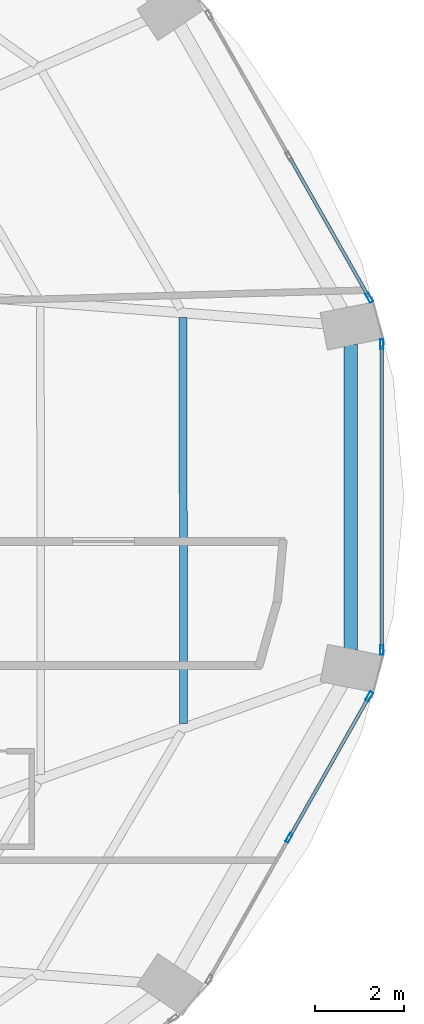
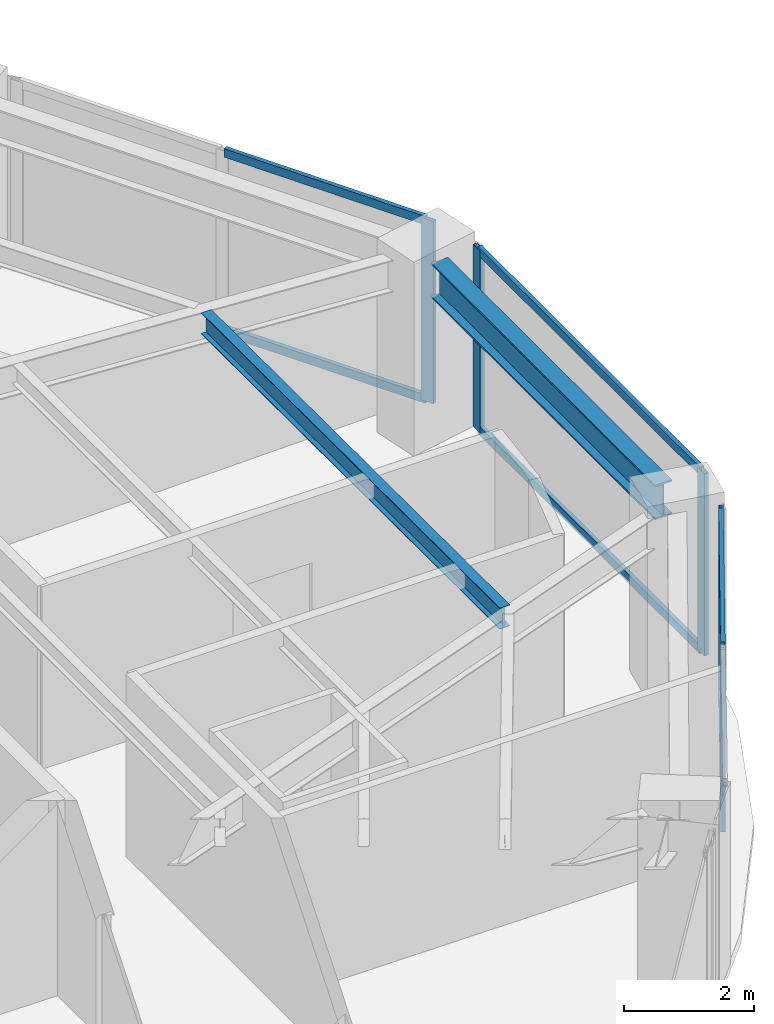
# One storey, part 12 of 25: 11 members, 2 beams, 3 elements without a shape of their own.
"""IFC4 building model written with IfcOpenShell, lengths in metres."""

from ifc_helpers import new_model, si_unit, direction, frame, origin, origin_2d, place, context, subcontext, project, spatial, hollow_rectangle, i_section, extrude, material, layer, layer_set, material_profile, profile_set, type_object, element, aggregate, save


model = new_model("IFC4")

# Units and contexts
model_context = context("Model", 3, precision=1e-05, world=origin(), true_north=direction((0.0, 1.0)))
body_context = subcontext(model_context, "Body", "Model", "MODEL_VIEW")
ifc_project = project(units=[si_unit("LENGTHUNIT", "METRE"), si_unit("AREAUNIT", "SQUARE_METRE"), si_unit("VOLUMEUNIT", "CUBIC_METRE"), si_unit("PLANEANGLEUNIT", "RADIAN"), si_unit("MASSUNIT", "GRAM", prefix="KILO")], contexts=[model_context])

# Site, building, storey
site_placement = place(None, origin())
site = spatial("IfcSite", under=ifc_project, at=site_placement, CompositionType="ELEMENT")
building_placement = place(site_placement, origin())
building = spatial("IfcBuilding", under=site, at=building_placement, Name="Lazwardi Medical Tower", CompositionType="ELEMENT")
storey_placement = place(building_placement, frame((0.0, 0.0, 32.49609375)))
storey = spatial("IfcBuildingStorey", under=building, at=storey_placement, Name="L07", CompositionType="ELEMENT", Elevation=32.49609375)

# Beams
ifc_material_1 = material(Name="Steel S355", Category="steel")
ifc_material_profile_1 = material_profile(ifc_material_1, i_section(OverallWidth=0.300048828125, OverallDepth=0.64990234375, WebThickness=0.01611328125, FlangeThickness=0.031005859375, at=origin_2d()), Name="HEB 650")
ifc_profile_set_1 = profile_set([ifc_material_profile_1], Name="Steel S355")
beam_type_1 = type_object("IfcBeamType", Name="BM-RB-Z1", PredefinedType="BEAM", material=ifc_profile_set_1)
beam_1_placement = place(storey_placement, frame((62.800048828125, 26.952392578125, 3.10302734375), z_axis=(0.0, 1.0, 0.0), x_axis=(-1.0, 0.0, 0.0)))
element("IfcBeam", 1, at=beam_1_placement, inside=storey, type_object=beam_type_1, Name="Ring beam RB-02 B04 L07", PredefinedType="BEAM", context=body_context, shape_type="SweptSolid", body=[
    extrude(i_section(OverallWidth=0.300048828125, OverallDepth=0.64990234375, WebThickness=0.01611328125, FlangeThickness=0.031005859375, at=origin_2d()), origin(), (0.0, 0.0, 1.0), 6.895263671875),
])
ifc_material_profile_2 = material_profile(ifc_material_1, i_section(OverallWidth=0.179931640625, OverallDepth=0.39990234375, WebThickness=0.008544921875, FlangeThickness=0.013427734375, at=origin_2d()), Name="IPE 400")
ifc_profile_set_2 = profile_set([ifc_material_profile_2], Name="Steel S355")
beam_type_2 = type_object("IfcBeamType", Name="BM-SJ-01", PredefinedType="JOIST", material=ifc_profile_set_2)
beam_2_placement = place(storey_placement, frame((59.0234375, 25.291015625, 3.22802734375), z_axis=(-0.002077613181, 0.999997841759, 0.0), x_axis=(-0.999997841759, -0.002077613181, 0.0)))
element("IfcBeam", 2, at=beam_2_placement, inside=storey, type_object=beam_type_2, Name="Secondary joist SJ-01 R1 B04 L07", PredefinedType="JOIST", context=body_context, shape_type="SweptSolid", body=[
    extrude(i_section(OverallWidth=0.179931640625, OverallDepth=0.39990234375, WebThickness=0.008544921875, FlangeThickness=0.013427734375, at=origin_2d()), origin(), (0.0, 0.0, 1.0), 9.165771484375),
])

# Curtain wall, members
ifc_material_2 = material(Name="Anodised bronze aluminium and solar control glazing", Category="aluminium")
ifc_layer = layer(ifc_material_2, 0.199951171875)
ifc_layer_set = layer_set([ifc_layer], Name="Anodised bronze aluminium and solar control glazing")
curtain_wall_type = type_object("IfcCurtainWallType", Name="CW-SYS-02", PredefinedType="NOTDEFINED", material=ifc_layer_set)
curtain_wall_1_placement = place(storey_placement, origin())
curtain_wall_1 = element("IfcCurtainWall", 3, at=curtain_wall_1_placement, inside=storey, type_object=curtain_wall_type, Name="L07 Unitised bronze curtain wall CW-02", PredefinedType="NOTDEFINED")
ifc_material_3 = material(Name="Anodised bronze aluminium", Category="aluminium")
ifc_material_profile_3 = material_profile(ifc_material_3, hollow_rectangle(XDim=0.074951171875, YDim=0.219970703125, WallThickness=0.00390625, at=origin_2d()), Name="ALU-MULLION 220x75x4")
ifc_profile_set_3 = profile_set([ifc_material_profile_3], Name="Anodised bronze aluminium")
member_type_1 = type_object("IfcMemberType", Name="CW-MUL-01", PredefinedType="MULLION", material=ifc_profile_set_3)
member_1_placement = place(storey_placement, frame((61.4052734375, 22.70458984375, 0.0), z_axis=(0.0, 0.0, 1.0), x_axis=(-0.870111838823, 0.492854327303, 0.0)))
member_1 = element("IfcMember", 4, at=member_1_placement, type_object=member_type_1, Name="CW-02 mullion 2", PredefinedType="MULLION", context=body_context, shape_type="SweptSolid", body=[
    extrude(hollow_rectangle(XDim=0.074951171875, YDim=0.219970703125, WallThickness=0.00390625, at=origin_2d()), origin(), (0.0, 0.0, 1.0), 3.427978515625),
])
member_2_placement = place(storey_placement, frame((63.214111328125, 25.897705078125, 0.0), z_axis=(0.0, 0.0, 1.0), x_axis=(-0.870111838823, 0.492854327303, 0.0)))
member_2 = element("IfcMember", 5, at=member_2_placement, type_object=member_type_1, Name="CW-02 mullion 3", PredefinedType="MULLION", context=body_context, shape_type="SweptSolid", body=[
    extrude(hollow_rectangle(XDim=0.074951171875, YDim=0.219970703125, WallThickness=0.00390625, at=origin_2d()), origin(), (0.0, 0.0, 1.0), 3.427978515625),
])

curtain_wall_2_placement = place(storey_placement, origin())
curtain_wall_2 = element("IfcCurtainWall", 6, at=curtain_wall_2_placement, inside=storey, type_object=curtain_wall_type, Name="L07 Unitised bronze curtain wall CW-02", PredefinedType="NOTDEFINED")
member_3_placement = place(storey_placement, frame((63.49853515625, 26.946044921875, 0.0), z_axis=(0.0, 0.0, 1.0), x_axis=(-1.0, 0.0, 0.0)))
member_3 = element("IfcMember", 7, at=member_3_placement, type_object=member_type_1, Name="CW-02 mullion 1", PredefinedType="MULLION", context=body_context, shape_type="SweptSolid", body=[
    extrude(hollow_rectangle(XDim=0.074951171875, YDim=0.219970703125, WallThickness=0.00390625, at=origin_2d()), origin(), (0.0, 0.0, 1.0), 3.427978515625),
])
member_4_placement = place(storey_placement, frame((63.49853515625, 33.85400390625, 0.0), z_axis=(0.0, 0.0, 1.0), x_axis=(-1.0, 0.0, 0.0)))
member_4 = element("IfcMember", 8, at=member_4_placement, type_object=member_type_1, Name="CW-02 mullion 2", PredefinedType="MULLION", context=body_context, shape_type="SweptSolid", body=[
    extrude(hollow_rectangle(XDim=0.074951171875, YDim=0.219970703125, WallThickness=0.00390625, at=origin_2d()), origin(), (0.0, 0.0, 1.0), 3.427978515625),
])

# Curtain wall, member
curtain_wall_3_placement = place(storey_placement, origin())
curtain_wall_3 = element("IfcCurtainWall", 9, at=curtain_wall_3_placement, inside=storey, type_object=curtain_wall_type, Name="L07 Unitised bronze curtain wall CW-02", PredefinedType="NOTDEFINED")
member_5_placement = place(storey_placement, frame((63.214111328125, 34.90234375, 0.0), z_axis=(0.0, 0.0, 1.0), x_axis=(-0.870111838823, -0.492854327303, 0.0)))
member_5 = element("IfcMember", 10, at=member_5_placement, type_object=member_type_1, Name="CW-02 mullion 1", PredefinedType="MULLION", context=body_context, shape_type="SweptSolid", body=[
    extrude(hollow_rectangle(XDim=0.074951171875, YDim=0.219970703125, WallThickness=0.00390625, at=origin_2d()), origin(), (0.0, 0.0, 1.0), 3.427978515625),
])

# Member
ifc_material_profile_4 = material_profile(ifc_material_3, hollow_rectangle(XDim=0.074951171875, YDim=0.159912109375, WallThickness=0.00390625, at=origin_2d()), Name="ALU-TRANSOM 160x75x4")
ifc_profile_set_4 = profile_set([ifc_material_profile_4], Name="Anodised bronze aluminium")
member_type_2 = type_object("IfcMemberType", Name="CW-TRN-01", PredefinedType="USERDEFINED", material=ifc_profile_set_4)
member_6_placement = place(storey_placement, frame((61.423828125, 22.737060546875, 0.037353515625), z_axis=(0.49285148925, 0.870113446365, 0.0), x_axis=(-0.870113446365, 0.49285148925, 0.0)))
member_6 = element("IfcMember", 11, at=member_6_placement, type_object=member_type_2, Name="CW-02 transom 2.1", ObjectType="TRANSOM", PredefinedType="USERDEFINED", context=body_context, shape_type="SweptSolid", body=[
    extrude(hollow_rectangle(XDim=0.074951171875, YDim=0.159912109375, WallThickness=0.00390625, at=origin_2d()), origin(), (0.0, 0.0, 1.0), 3.594970703125),
])

member_7_placement = place(storey_placement, frame((61.423828125, 22.737060546875, 3.390380859375), z_axis=(0.49285148925, 0.870113446365, 0.0), x_axis=(-0.870113446365, 0.49285148925, 0.0)))
member_7 = element("IfcMember", 12, at=member_7_placement, type_object=member_type_2, Name="CW-02 transom 2.2", ObjectType="TRANSOM", PredefinedType="USERDEFINED", context=body_context, shape_type="SweptSolid", body=[
    extrude(hollow_rectangle(XDim=0.074951171875, YDim=0.159912109375, WallThickness=0.00390625, at=origin_2d()), origin(), (0.0, 0.0, 1.0), 3.594970703125),
])

aggregate(curtain_wall_1, [member_1, member_2, member_6, member_7])

member_8_placement = place(storey_placement, frame((63.49853515625, 26.9833984375, 0.037353515625), z_axis=(0.0, 1.0, 0.0), x_axis=(-1.0, 0.0, 0.0)))
member_8 = element("IfcMember", 13, at=member_8_placement, type_object=member_type_2, Name="CW-02 transom 1.1", ObjectType="TRANSOM", PredefinedType="USERDEFINED", context=body_context, shape_type="SweptSolid", body=[
    extrude(hollow_rectangle(XDim=0.074951171875, YDim=0.159912109375, WallThickness=0.00390625, at=origin_2d()), origin(), (0.0, 0.0, 1.0), 6.8330078125),
])

member_9_placement = place(storey_placement, frame((63.49853515625, 26.9833984375, 3.390380859375), z_axis=(0.0, 1.0, 0.0), x_axis=(-1.0, 0.0, 0.0)))
member_9 = element("IfcMember", 14, at=member_9_placement, type_object=member_type_2, Name="CW-02 transom 1.2", ObjectType="TRANSOM", PredefinedType="USERDEFINED", context=body_context, shape_type="SweptSolid", body=[
    extrude(hollow_rectangle(XDim=0.074951171875, YDim=0.159912109375, WallThickness=0.00390625, at=origin_2d()), origin(), (0.0, 0.0, 1.0), 6.8330078125),
])

aggregate(curtain_wall_2, [member_3, member_4, member_8, member_9])

member_10_placement = place(storey_placement, frame((63.195556640625, 34.93505859375, 0.037353515625), z_axis=(-0.492880614687, 0.870096948429, 0.0), x_axis=(-0.870096948429, -0.492880614687, 0.0)))
member_10 = element("IfcMember", 15, at=member_10_placement, type_object=member_type_2, Name="CW-02 transom 1.1", ObjectType="TRANSOM", PredefinedType="USERDEFINED", context=body_context, shape_type="SweptSolid", body=[
    extrude(hollow_rectangle(XDim=0.074951171875, YDim=0.159912109375, WallThickness=0.00390625, at=origin_2d()), origin(), (0.0, 0.0, 1.0), 3.5947265625),
])

member_11_placement = place(storey_placement, frame((63.195556640625, 34.93505859375, 3.390380859375), z_axis=(-0.492880614687, 0.870096948429, 0.0), x_axis=(-0.870096948429, -0.492880614687, 0.0)))
member_11 = element("IfcMember", 16, at=member_11_placement, type_object=member_type_2, Name="CW-02 transom 1.2", ObjectType="TRANSOM", PredefinedType="USERDEFINED", context=body_context, shape_type="SweptSolid", body=[
    extrude(hollow_rectangle(XDim=0.074951171875, YDim=0.159912109375, WallThickness=0.00390625, at=origin_2d()), origin(), (0.0, 0.0, 1.0), 3.5947265625),
])

aggregate(curtain_wall_3, [member_5, member_10, member_11])

save(model, "model.ifc")
